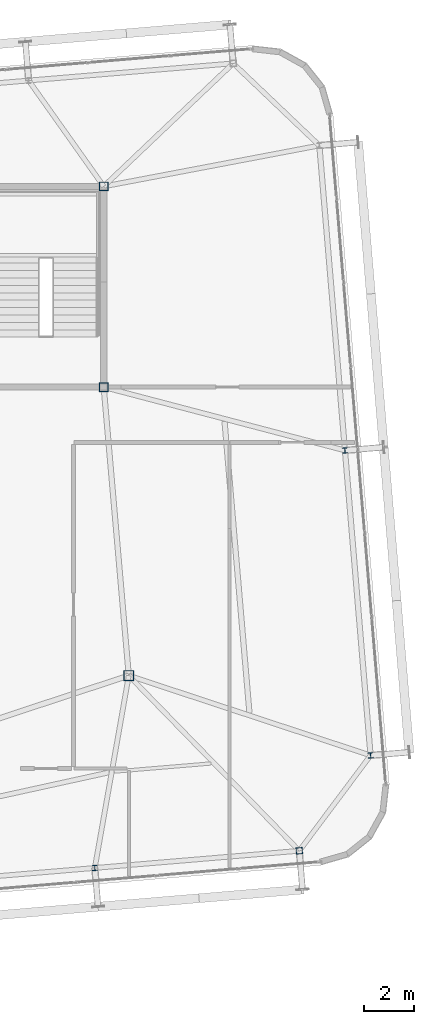
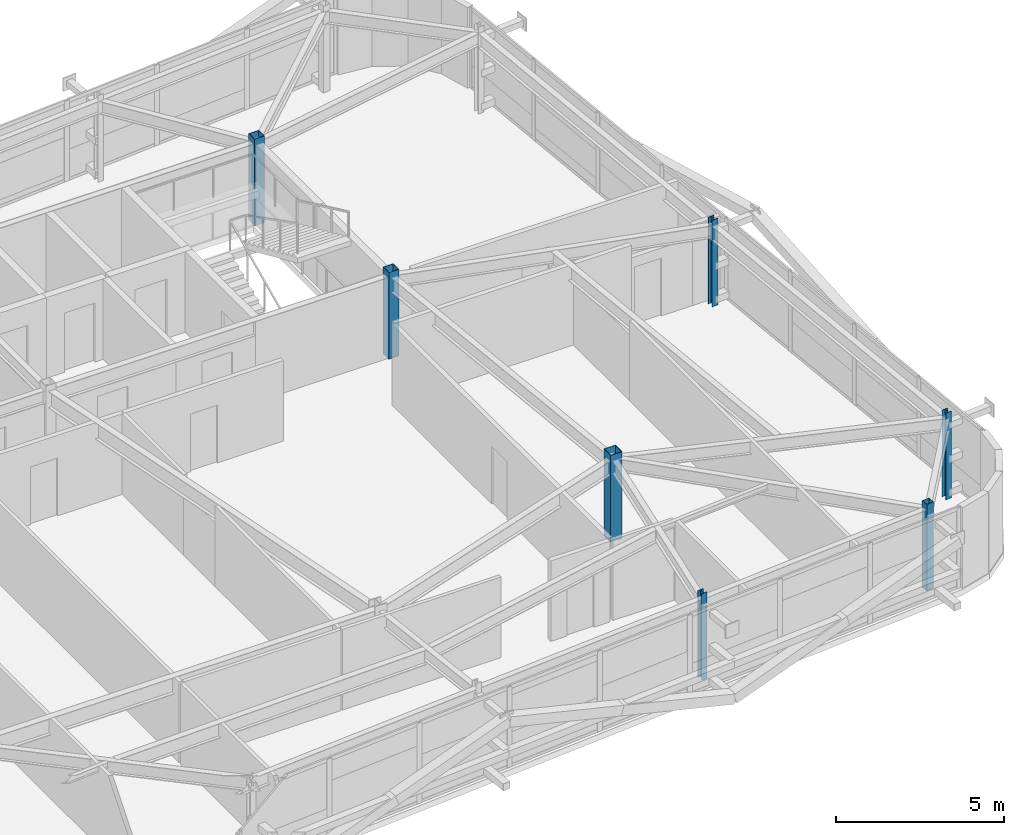
# One storey, part 4 of 44: 7 columns.
"""IFC4 building model written with IfcOpenShell, lengths in metres."""

from ifc_helpers import new_model, si_unit, direction, frame, origin, origin_2d, place, context, subcontext, project, spatial, hollow_rectangle, i_section, extrude, source, transform, mapped, material, material_profile, profile_set, type_object, element, save


model = new_model("IFC4")

# Units and contexts
model_context = context("Model", 3, precision=1e-05, world=origin(), true_north=direction((0.0, 1.0)))
body_context = subcontext(model_context, "Body", "Model", "MODEL_VIEW")
ifc_project = project(units=[si_unit("LENGTHUNIT", "METRE"), si_unit("AREAUNIT", "SQUARE_METRE"), si_unit("VOLUMEUNIT", "CUBIC_METRE"), si_unit("PLANEANGLEUNIT", "RADIAN"), si_unit("MASSUNIT", "GRAM", prefix="KILO")], contexts=[model_context])

# Site, building, storey
site_placement = place(None, origin())
site = spatial("IfcSite", under=ifc_project, at=site_placement, CompositionType="ELEMENT")
building_placement = place(site_placement, origin())
building = spatial("IfcBuilding", under=site, at=building_placement, Name="Taldren Reach Tower", CompositionType="ELEMENT")
storey_placement = place(building_placement, frame((0.0, 0.0, 191.449951171875)))
storey = spatial("IfcBuildingStorey", under=building, at=storey_placement, Name="L58", CompositionType="ELEMENT", Elevation=191.449951171875)

# Columns
ifc_material_1 = material(Name="Steel Gr 450 (C450L0)", Category="steel")
ifc_material_profile_1 = material_profile(ifc_material_1, hollow_rectangle(XDim=0.39990234375, YDim=0.39990234375, WallThickness=0.01611328125, at=origin_2d()), Name="400x400x16.0SHS")
ifc_profile_set_1 = profile_set([ifc_material_profile_1], Name="Steel Gr 450 (C450L0)")
column_type_1 = type_object("IfcColumnType", Name="COL-SHS400", PredefinedType="COLUMN", material=ifc_profile_set_1)
shared_shape_1 = source(origin(), body_context, "Body", "SweptSolid", [
    extrude(hollow_rectangle(XDim=0.39990234375, YDim=0.39990234375, WallThickness=0.01611328125, at=origin_2d()), origin(), (0.0, 0.0, 1.0), 3.150146484375),
])
column_1_placement = place(storey_placement, frame((52.0, 12.5, 0.0), z_axis=(0.0, 0.0, 1.0), x_axis=(1.0, 0.0, 0.0)))
element("IfcColumn", 1, at=column_1_placement, inside=storey, type_object=column_type_1, Name="Mega column MC-SE L58", PredefinedType="COLUMN", context=body_context, shape_type="MappedRepresentation", body=[
    mapped(shared_shape_1, transform((0.0, 0.0, 0.0), scale=1.0)),
])
ifc_material_profile_2 = material_profile(ifc_material_1, hollow_rectangle(XDim=0.35009765625, YDim=0.35009765625, WallThickness=0.01611328125, at=origin_2d()), Name="350x350x16.0SHS")
ifc_profile_set_2 = profile_set([ifc_material_profile_2], Name="Steel Gr 450 (C450L0)")
column_type_2 = type_object("IfcColumnType", Name="COL-SHS350", PredefinedType="COLUMN", material=ifc_profile_set_2)
shared_shape_2 = source(origin(), body_context, "Body", "SweptSolid", [
    extrude(hollow_rectangle(XDim=0.35009765625, YDim=0.35009765625, WallThickness=0.01611328125, at=origin_2d()), origin(), (0.0, 0.0, 1.0), 3.150146484375),
])
for number, where, z_axis, x_axis, name in (
    (2, (51.0, 24.0, 0.0), (0.0, 0.0, 1.0), (1.0, 0.0, 0.0), "Mega column MC-C4 L58"),
    (3, (51.0, 32.0, 0.0), (0.0, 0.0, 1.0), (1.0, 0.0, 0.0), "Mega column MC-C8 L58"),
):
    element("IfcColumn", number, at=place(storey_placement, frame(where, z_axis=z_axis, x_axis=x_axis)), inside=storey, type_object=column_type_2, Name=name, PredefinedType="COLUMN", context=body_context, shape_type="MappedRepresentation", body=[
        mapped(shared_shape_2, transform((0.0, 0.0, 0.0), scale=1.0)),
    ])
ifc_material_2 = material(Name="Steel Gr 350 (C350L0)", Category="steel")
ifc_material_profile_3 = material_profile(ifc_material_2, hollow_rectangle(XDim=0.25, YDim=0.25, WallThickness=0.010009765625, at=origin_2d()), Name="250x250x10.0SHS")
ifc_profile_set_3 = profile_set([ifc_material_profile_3], Name="Steel Gr 350 (C350L0)")
column_type_3 = type_object("IfcColumnType", Name="COL-SHS250", PredefinedType="COLUMN", material=ifc_profile_set_3)
shared_shape_3 = source(origin(), body_context, "Body", "SweptSolid", [
    extrude(hollow_rectangle(XDim=0.25, YDim=0.25, WallThickness=0.010009765625, at=origin_2d()), origin(), (0.0, 0.0, 1.0), 3.150146484375),
])
column_2_placement = place(storey_placement, frame((58.796142578125, 5.516357421875, 0.0), z_axis=(0.0, 0.0, 1.0), x_axis=(0.99649285925, 0.083677843332, 0.0)))
element("IfcColumn", 4, at=column_2_placement, inside=storey, type_object=column_type_3, Name="Block B4 perimeter column S6 L58", PredefinedType="COLUMN", context=body_context, shape_type="MappedRepresentation", body=[
    mapped(shared_shape_3, transform((0.0, 0.0, 0.0), scale=1.0)),
])
ifc_material_3 = material(Name="Steel Gr 350 (350PLUS)", Category="steel")
ifc_material_profile_4 = material_profile(ifc_material_3, i_section(OverallWidth=0.205078125, OverallDepth=0.2099609375, WebThickness=0.00927734375, FlangeThickness=0.01416015625, at=origin_2d()), Name="200UC59.5")
ifc_profile_set_4 = profile_set([ifc_material_profile_4], Name="Steel Gr 350 (350PLUS)")
column_type_4 = type_object("IfcColumnType", Name="COL-UC200", PredefinedType="COLUMN", material=ifc_profile_set_4)
shared_shape_4 = source(origin(), body_context, "Body", "SweptSolid", [
    extrude(i_section(OverallWidth=0.205078125, OverallDepth=0.2099609375, WebThickness=0.00927734375, FlangeThickness=0.01416015625, at=origin_2d()), origin(), (0.0, 0.0, 1.0), 3.150146484375),
])
for number, where, z_axis, x_axis, name in (
    (5, (50.644775390625, 4.83203125, 0.0), (0.0, 0.0, 1.0), (0.99649285925, 0.083677843332, 0.0), "Block B4 perimeter column S5 L58"),
    (6, (61.63818359375, 9.317626953125, 0.0), (0.0, 0.0, 1.0), (0.99649285925, 0.083677843332, 0.0), "Block B4 perimeter column E1 L58"),
    (7, (60.6171875, 21.474853515625, 0.0), (0.0, 0.0, 1.0), (0.99649285925, 0.083677843332, 0.0), "Block B4 perimeter column E2 L58"),
):
    element("IfcColumn", number, at=place(storey_placement, frame(where, z_axis=z_axis, x_axis=x_axis)), inside=storey, type_object=column_type_4, Name=name, PredefinedType="COLUMN", context=body_context, shape_type="MappedRepresentation", body=[
        mapped(shared_shape_4, transform((0.0, 0.0, 0.0), scale=1.0)),
    ])

save(model, "model.ifc")
